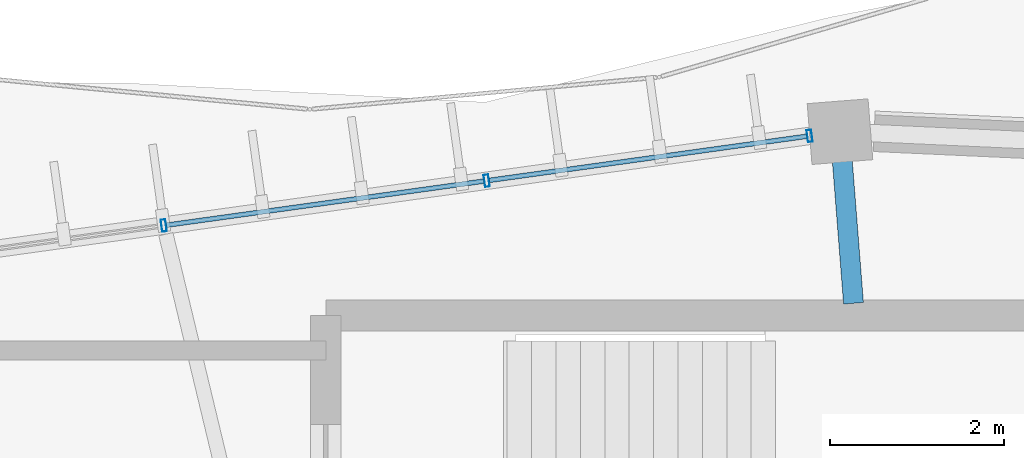
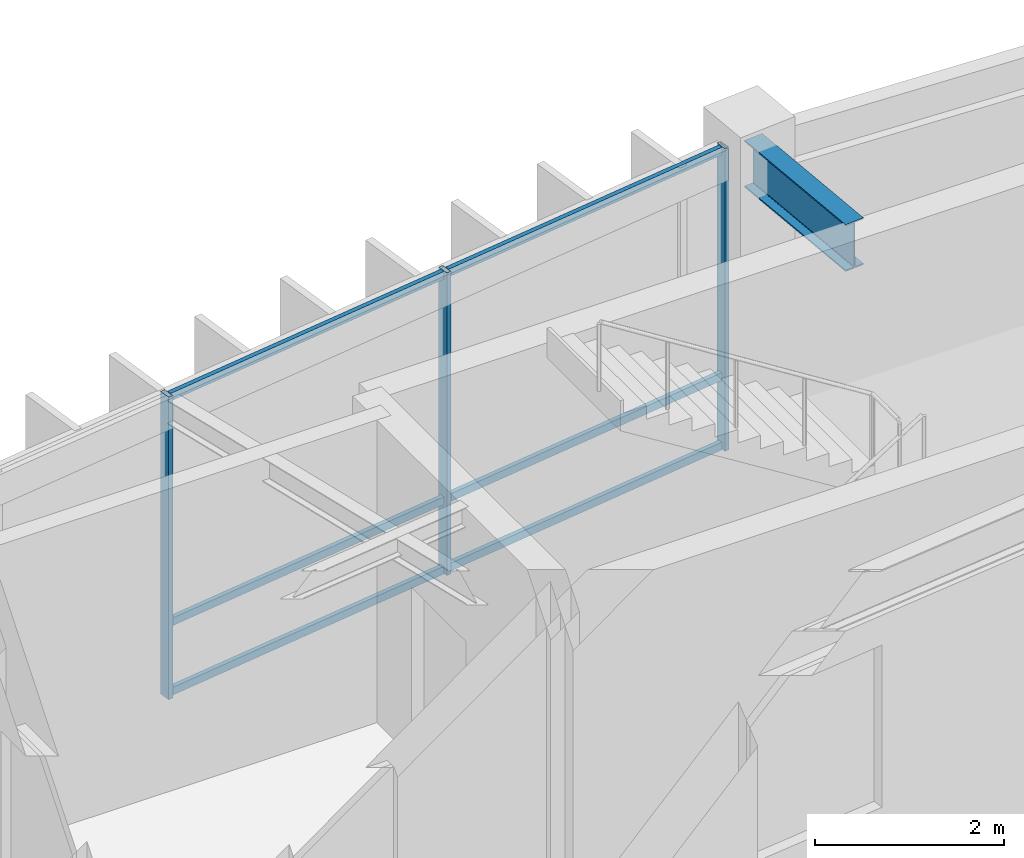
# One storey, part 67 of 138: 9 members, 1 beam, 1 element without a shape of its own.
"""IFC4 building model written with IfcOpenShell, lengths in metres."""

from ifc_helpers import new_model, si_unit, direction, frame, origin, origin_2d, place, context, subcontext, project, spatial, hollow_rectangle, i_section, extrude, material, material_profile, profile_set, type_object, element, aggregate, save


model = new_model("IFC4")

# Units and contexts
model_context = context("Model", 3, precision=1e-05, world=origin(), true_north=direction((0.0, 1.0)))
body_context = subcontext(model_context, "Body", "Model", "MODEL_VIEW")
ifc_project = project(units=[si_unit("LENGTHUNIT", "METRE"), si_unit("AREAUNIT", "SQUARE_METRE"), si_unit("VOLUMEUNIT", "CUBIC_METRE"), si_unit("PLANEANGLEUNIT", "RADIAN"), si_unit("MASSUNIT", "GRAM", prefix="KILO"), si_unit("THERMODYNAMICTEMPERATUREUNIT", "KELVIN"), si_unit("POWERUNIT", "WATT")], contexts=[model_context])

# Site, building, storey
site_placement = place(None, origin())
site = spatial("IfcSite", under=ifc_project, at=site_placement, CompositionType="ELEMENT")
building_placement = place(site_placement, origin())
building = spatial("IfcBuilding", under=site, at=building_placement, Name="Darbajah Civic Hall", CompositionType="ELEMENT")
storey_placement = place(building_placement, frame((0.0, 0.0, 9.60009765625)))
storey = spatial("IfcBuildingStorey", under=building, at=storey_placement, Name="L02", CompositionType="ELEMENT", Elevation=9.60009765625)

# Curtain wall, members
ifc_material_1 = material(Name="Anodised Bronze Aluminium and Low-E Glazing", Category="aluminium")
curtain_wall_type = type_object("IfcCurtainWallType", Name="Unitised Curtain Wall CW-42 15000x3900", PredefinedType="USERDEFINED", material=ifc_material_1)
curtain_wall_placement = place(storey_placement, origin())
curtain_wall = element("IfcCurtainWall", 1, at=curtain_wall_placement, inside=storey, type_object=curtain_wall_type, Name="L02 unitised curtain wall CW-V1O-L02-05", ObjectType="UNITISED CURTAIN WALL", PredefinedType="USERDEFINED")
ifc_material_2 = material(Name="Anodised Bronze Aluminium", Category="aluminium")
ifc_material_profile_1 = material_profile(ifc_material_2, hollow_rectangle(XDim=0.054931640625, YDim=0.139892578125, WallThickness=0.003173828125, at=origin_2d()), Name="ALU MULLION 55x140")
ifc_profile_set_1 = profile_set([ifc_material_profile_1], Name="Anodised Bronze Aluminium")
member_type_1 = type_object("IfcMemberType", Name="ALU MULLION 55x140", PredefinedType="MULLION", material=ifc_profile_set_1)
member_1_placement = place(storey_placement, frame((84.75, 119.16064453125, 0.0), z_axis=(0.0, 0.0, 1.0), x_axis=(-0.990485459553, -0.137617420457, 0.0)))
member_1 = element("IfcMember", 2, at=member_1_placement, type_object=member_type_1, Name="CW-V1O-L02-05 mullion 1", PredefinedType="MULLION", context=body_context, shape_type="SweptSolid", body=[
    extrude(hollow_rectangle(XDim=0.054931640625, YDim=0.139892578125, WallThickness=0.003173828125, at=origin_2d()), origin(), (0.0, 0.0, 1.0), 3.919921875),
])
member_2_placement = place(storey_placement, frame((81.04541015625, 118.646240234375, 0.0), z_axis=(0.0, 0.0, 1.0), x_axis=(-0.990485459553, -0.137617420457, 0.0)))
member_2 = element("IfcMember", 3, at=member_2_placement, type_object=member_type_1, Name="CW-V1O-L02-05 mullion 2", PredefinedType="MULLION", context=body_context, shape_type="SweptSolid", body=[
    extrude(hollow_rectangle(XDim=0.054931640625, YDim=0.139892578125, WallThickness=0.003173828125, at=origin_2d()), origin(), (0.0, 0.0, 1.0), 3.919921875),
])
member_3_placement = place(storey_placement, frame((77.3408203125, 118.1318359375, 0.0), z_axis=(0.0, 0.0, 1.0), x_axis=(-0.990485459553, -0.137617420457, 0.0)))
member_3 = element("IfcMember", 4, at=member_3_placement, type_object=member_type_1, Name="CW-V1O-L02-05 mullion 3", PredefinedType="MULLION", context=body_context, shape_type="SweptSolid", body=[
    extrude(hollow_rectangle(XDim=0.054931640625, YDim=0.139892578125, WallThickness=0.003173828125, at=origin_2d()), origin(), (0.0, 0.0, 1.0), 3.919921875),
])
ifc_material_profile_2 = material_profile(ifc_material_2, hollow_rectangle(XDim=0.054931640625, YDim=0.10009765625, WallThickness=0.0029296875, at=origin_2d()), Name="ALU TRANSOM 55x100")
ifc_profile_set_2 = profile_set([ifc_material_profile_2], Name="Anodised Bronze Aluminium")
member_type_2 = type_object("IfcMemberType", Name="ALU TRANSOM 55x100", PredefinedType="USERDEFINED", material=ifc_profile_set_2)
member_4_placement = place(storey_placement, frame((84.7177734375, 119.15625, 0.0498046875), z_axis=(-0.990490764459, -0.137579233615, 0.0), x_axis=(0.137579233615, -0.990490764459, 0.0)))
member_4 = element("IfcMember", 5, at=member_4_placement, type_object=member_type_2, Name="CW-V1O-L02-05 transom 1.1", ObjectType="TRANSOM", PredefinedType="USERDEFINED", context=body_context, shape_type="SweptSolid", body=[
    extrude(hollow_rectangle(XDim=0.054931640625, YDim=0.10009765625, WallThickness=0.0029296875, at=origin_2d()), origin(), (0.0, 0.0, 1.0), 3.675048828125),
])
member_5_placement = place(storey_placement, frame((84.7177734375, 119.15625, 0.949951171875), z_axis=(-0.990490764459, -0.137579233615, 0.0), x_axis=(0.137579233615, -0.990490764459, 0.0)))
member_5 = element("IfcMember", 6, at=member_5_placement, type_object=member_type_2, Name="CW-V1O-L02-05 transom 1.2", ObjectType="TRANSOM", PredefinedType="USERDEFINED", context=body_context, shape_type="SweptSolid", body=[
    extrude(hollow_rectangle(XDim=0.054931640625, YDim=0.10009765625, WallThickness=0.0029296875, at=origin_2d()), origin(), (0.0, 0.0, 1.0), 3.675048828125),
])
member_6_placement = place(storey_placement, frame((84.7177734375, 119.15625, 3.869873046875), z_axis=(-0.990490764459, -0.137579233615, 0.0), x_axis=(0.137579233615, -0.990490764459, 0.0)))
member_6 = element("IfcMember", 7, at=member_6_placement, type_object=member_type_2, Name="CW-V1O-L02-05 transom 1.3", ObjectType="TRANSOM", PredefinedType="USERDEFINED", context=body_context, shape_type="SweptSolid", body=[
    extrude(hollow_rectangle(XDim=0.054931640625, YDim=0.10009765625, WallThickness=0.0029296875, at=origin_2d()), origin(), (0.0, 0.0, 1.0), 3.675048828125),
])
member_7_placement = place(storey_placement, frame((81.01318359375, 118.641845703125, 0.0498046875), z_axis=(-0.990490764459, -0.137579233615, 0.0), x_axis=(0.137579233615, -0.990490764459, 0.0)))
member_7 = element("IfcMember", 8, at=member_7_placement, type_object=member_type_2, Name="CW-V1O-L02-05 transom 2.1", ObjectType="TRANSOM", PredefinedType="USERDEFINED", context=body_context, shape_type="SweptSolid", body=[
    extrude(hollow_rectangle(XDim=0.054931640625, YDim=0.10009765625, WallThickness=0.0029296875, at=origin_2d()), origin(), (0.0, 0.0, 1.0), 3.675048828125),
])
member_8_placement = place(storey_placement, frame((81.01318359375, 118.641845703125, 0.949951171875), z_axis=(-0.990490764459, -0.137579233615, 0.0), x_axis=(0.137579233615, -0.990490764459, 0.0)))
member_8 = element("IfcMember", 9, at=member_8_placement, type_object=member_type_2, Name="CW-V1O-L02-05 transom 2.2", ObjectType="TRANSOM", PredefinedType="USERDEFINED", context=body_context, shape_type="SweptSolid", body=[
    extrude(hollow_rectangle(XDim=0.054931640625, YDim=0.10009765625, WallThickness=0.0029296875, at=origin_2d()), origin(), (0.0, 0.0, 1.0), 3.675048828125),
])
member_9_placement = place(storey_placement, frame((81.01318359375, 118.641845703125, 3.869873046875), z_axis=(-0.990490764459, -0.137579233615, 0.0), x_axis=(0.137579233615, -0.990490764459, 0.0)))
member_9 = element("IfcMember", 10, at=member_9_placement, type_object=member_type_2, Name="CW-V1O-L02-05 transom 2.3", ObjectType="TRANSOM", PredefinedType="USERDEFINED", context=body_context, shape_type="SweptSolid", body=[
    extrude(hollow_rectangle(XDim=0.054931640625, YDim=0.10009765625, WallThickness=0.0029296875, at=origin_2d()), origin(), (0.0, 0.0, 1.0), 3.675048828125),
])
aggregate(curtain_wall, [member_1, member_2, member_3, member_4, member_5, member_6, member_7, member_8, member_9])

# Beam
ifc_material_3 = material(Name="Steel S355JR", Category="steel")
ifc_material_profile_3 = material_profile(ifc_material_3, i_section(OverallWidth=0.228271484375, OverallDepth=0.607666015625, WebThickness=0.010986328125, FlangeThickness=0.017333984375, FilletRadius=0.0126953125, at=origin_2d()), Name="UB 610x229x113")
ifc_profile_set_3 = profile_set([ifc_material_profile_3], Name="Steel S355JR")
beam_type = type_object("IfcBeamType", Name="UB 610x229x113", PredefinedType="BEAM", material=ifc_profile_set_3)
beam_placement = place(storey_placement, frame((85.253662109375, 117.239990234375, 3.6162109375), z_axis=(-0.078449812785, 0.996918064273, 0.0), x_axis=(-0.996918064273, -0.078449812785, 0.0)))
element("IfcBeam", 11, at=beam_placement, inside=storey, type_object=beam_type, Name="L02 beam SB-610", PredefinedType="BEAM", context=body_context, shape_type="SweptSolid", body=[
    extrude(i_section(OverallWidth=0.228271484375, OverallDepth=0.607666015625, WebThickness=0.010986328125, FlangeThickness=0.017333984375, FilletRadius=0.0126953125, at=origin_2d()), origin(), (0.0, 0.0, 1.0), 1.895263671875),
])

save(model, "model.ifc")
